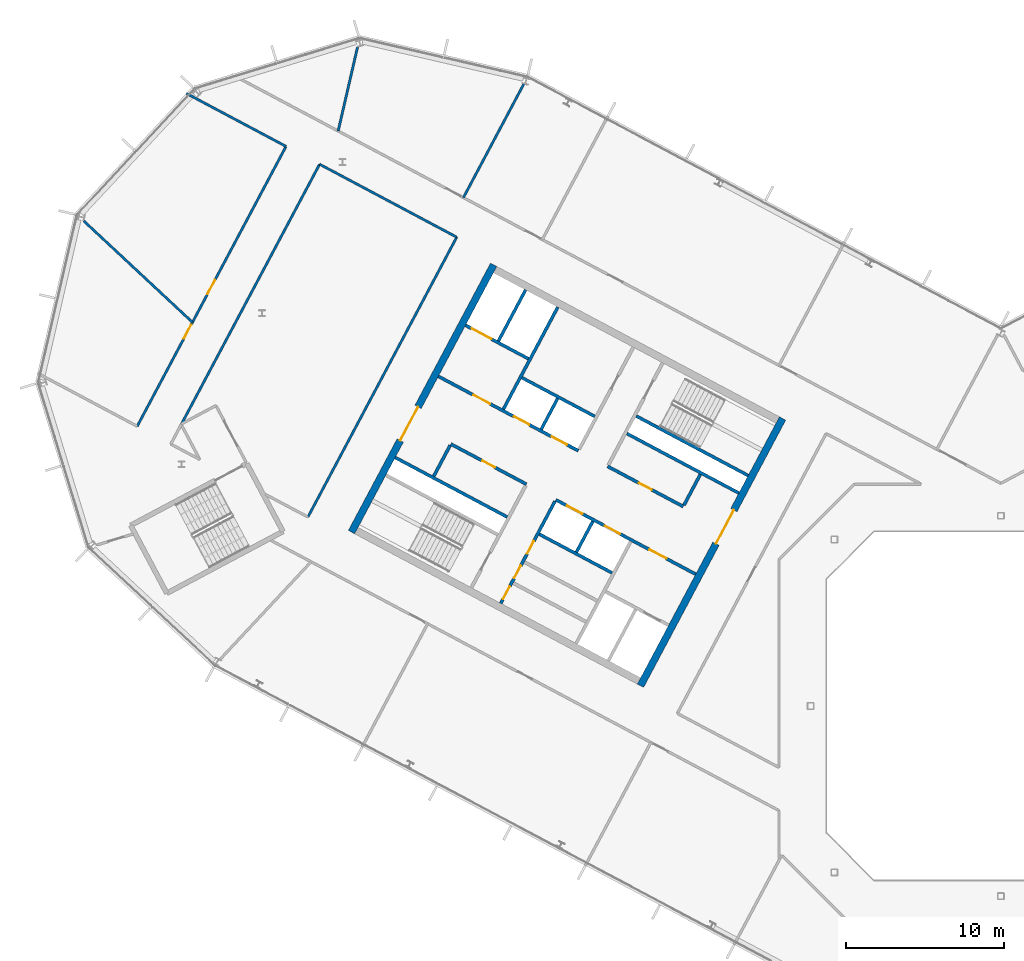
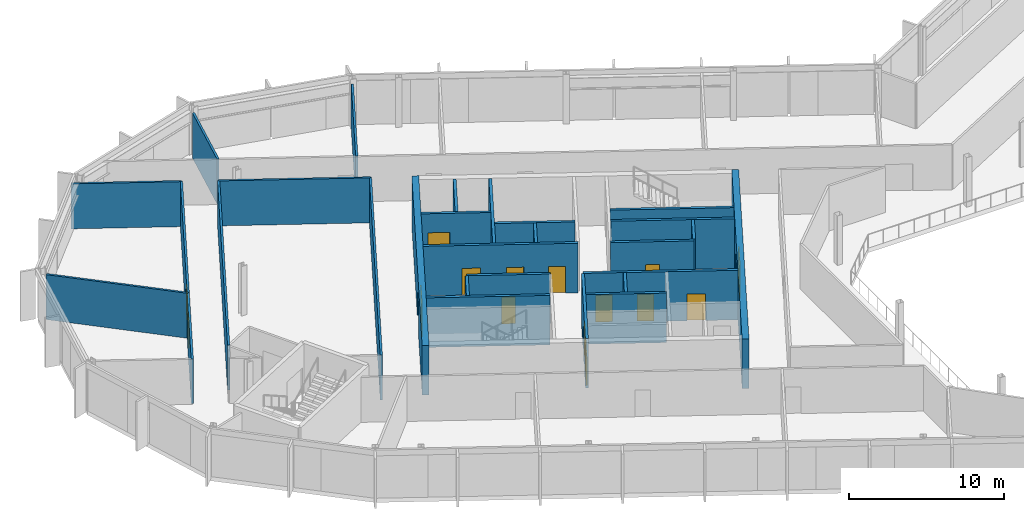
# One storey, part 13 of 25: 27 walls, 16 doors, 16 openings.
"""IFC4 building model written with IfcOpenShell, lengths in metres."""

from ifc_helpers import new_model, si_unit, direction, frame, frame_2d, origin, place, context, subcontext, project, spatial, rectangle, extrude, material, layer, layer_set, type_object, element, fill, save


model = new_model("IFC4")

# Units and contexts
model_context = context("Model", 3, precision=1e-05, world=origin(), true_north=direction((0.0, 1.0)))
body_context = subcontext(model_context, "Body", "Model", "MODEL_VIEW")
ifc_project = project(units=[si_unit("LENGTHUNIT", "METRE"), si_unit("AREAUNIT", "SQUARE_METRE"), si_unit("VOLUMEUNIT", "CUBIC_METRE"), si_unit("PLANEANGLEUNIT", "RADIAN"), si_unit("MASSUNIT", "GRAM", prefix="KILO")], contexts=[model_context])

# Site, building, storey
site_placement = place(None, origin())
site = spatial("IfcSite", under=ifc_project, at=site_placement, CompositionType="ELEMENT")
building_placement = place(site_placement, origin())
building = spatial("IfcBuilding", under=site, at=building_placement, Name="Cormorant Relay Tower", CompositionType="ELEMENT")
storey_placement = place(building_placement, frame((0.0, 0.0, 265.800048828125)))
storey = spatial("IfcBuildingStorey", under=building, at=storey_placement, Name="L59", CompositionType="ELEMENT", Elevation=265.800048828125)

# Walls
ifc_material_1 = material(Name="Concrete 40 MPa", Category="concrete")
ifc_layer_1 = layer(ifc_material_1, 0.199951171875)
ifc_layer_set_1 = layer_set([ifc_layer_1], Name="Core internal wall 200")
wall_type_1 = type_object("IfcWallType", Name="Core internal wall 200", PredefinedType="SOLIDWALL", material=ifc_layer_set_1)
wall_1_placement = place(storey_placement, frame((-25.744140625, 11.64990234375, 0.0), z_axis=(0.0, 0.0, 1.0), x_axis=(-0.469487830541, -0.882938942948, 0.0)))
element("IfcWall", 1, at=wall_1_placement, inside=storey, type_object=wall_type_1, Name="L59 core A shaft and room wall", PredefinedType="SOLIDWALL", context=body_context, shape_type="SweptSolid", body=[
    extrude(rectangle(XDim=2.2001953125, YDim=0.199951171875, at=frame_2d((1.10009765625, 0.0))), origin(), (0.0, 0.0, 1.0), 3.89990234375),
])
wall_2_placement = place(storey_placement, frame((-27.9658203125, 19.39990234375, 0.0), z_axis=(0.0, 0.0, 1.0), x_axis=(-0.4694473164, -0.882960484464, 0.0)))
element("IfcWall", 2, at=wall_2_placement, inside=storey, type_object=wall_type_1, Name="L59 core A shaft and room wall", PredefinedType="SOLIDWALL", context=body_context, shape_type="SweptSolid", body=[
    extrude(rectangle(XDim=2.199951171875, YDim=0.199951171875, at=frame_2d((1.10009765625, 0.0))), origin(), (0.0, 0.0, 1.0), 3.89990234375),
])
ifc_material_2 = material(Name="Concrete 50 MPa", Category="concrete")
ifc_layer_2 = layer(ifc_material_2, 0.199951171875)
ifc_layer_set_2 = layer_set([ifc_layer_2], Name="Core shaft wall 200")
wall_type_2 = type_object("IfcWallType", Name="Core shaft wall 200", PredefinedType="SHEAR", material=ifc_layer_set_2)
wall_3_placement = place(storey_placement, frame((-18.959716796875, 14.611328125, 0.0), z_axis=(0.0, 0.0, 1.0), x_axis=(-0.4694473164, -0.882960484464, 0.0)))
element("IfcWall", 3, at=wall_3_placement, inside=storey, type_object=wall_type_2, Name="L59 core A shaft wall", PredefinedType="SHEAR", context=body_context, shape_type="SweptSolid", body=[
    extrude(rectangle(XDim=2.199951171875, YDim=0.199951171875, at=frame_2d((1.10009765625, 0.0))), origin(), (0.0, 0.0, 1.0), 3.89990234375),
])

# Wall, openings, doors
wall_4_placement = place(storey_placement, frame((-28.128173828125, 12.91748046875, 0.0), z_axis=(0.0, 0.0, 1.0), x_axis=(-0.469454336211, -0.882956752176, 0.0)))
wall_4 = element("IfcWall", 4, at=wall_4_placement, inside=storey, type_object=wall_type_2, Name="L59 core A shaft wall", PredefinedType="SHEAR", context=body_context, shape_type="SweptSolid", body=[
    extrude(rectangle(XDim=7.300048828125, YDim=0.199951171875, at=frame_2d((3.64990234375, 0.0))), origin(), (0.0, 0.0, 1.0), 3.89990234375),
])
opening_1_placement = place(wall_4_placement, frame((2.85009765625, 0.0, 0.0)))
opening_1 = element("IfcOpeningElement", 5, at=opening_1_placement, cuts=wall_4, Name="Opening CDD-289", PredefinedType="OPENING", context=body_context, shape_type="SweptSolid", body=[
    extrude(rectangle(XDim=0.89990234375, YDim=2.10009765625, at=frame_2d((0.449951171875, 1.050048828125))), frame((0.0, 0.10986328125, 0.0), z_axis=(0.0, -1.0, 0.0), x_axis=(1.0, 0.0, 0.0)), (0.0, 0.0, 1.0), 0.219970703125),
])
opening_2_placement = place(wall_4_placement, frame((4.60009765625, 0.0, 0.0)))
opening_2 = element("IfcOpeningElement", 6, at=opening_2_placement, cuts=wall_4, Name="Opening CDD-290", PredefinedType="OPENING", context=body_context, shape_type="SweptSolid", body=[
    extrude(rectangle(XDim=0.89990234375, YDim=2.10009765625, at=frame_2d((0.449951171875, 1.050048828125))), frame((0.0, 0.10986328125, 0.0), z_axis=(0.0, -1.0, 0.0), x_axis=(1.0, 0.0, 0.0)), (0.0, 0.0, 1.0), 0.219970703125),
])
opening_3_placement = place(wall_4_placement, frame((6.10009765625, 0.0, 0.0)))
opening_3 = element("IfcOpeningElement", 7, at=opening_3_placement, cuts=wall_4, Name="Opening CDD-291", PredefinedType="OPENING", context=body_context, shape_type="SweptSolid", body=[
    extrude(rectangle(XDim=0.89990234375, YDim=2.10009765625, at=frame_2d((0.449951171875, 1.050048828125))), frame((0.0, 0.10986328125, 0.0), z_axis=(0.0, -1.0, 0.0), x_axis=(1.0, 0.0, 0.0)), (0.0, 0.0, 1.0), 0.219970703125),
])
ifc_material_3 = material(Name="Steel fire door", Category="steel")
door_type_1 = type_object("IfcDoorType", Name="Core room door 900x2100", OperationType="SINGLE_SWING_LEFT", PredefinedType="DOOR", material=ifc_material_3)
door_1_placement = place(opening_1_placement, origin())
door_1 = element("IfcDoor", 8, at=door_1_placement, inside=storey, type_object=door_type_1, Name="Core room door 900x2100", OperationType="SINGLE_SWING_LEFT", OverallHeight=2.10009765625, OverallWidth=0.89990234375, PredefinedType="DOOR", context=body_context, shape_type="SweptSolid", body=[
    extrude(rectangle(XDim=0.89990234375, YDim=2.10009765625, at=frame_2d((0.449951171875, 1.050048828125))), frame((0.0, 0.02490234375, 0.0), z_axis=(0.0, -1.0, 0.0), x_axis=(1.0, 0.0, 0.0)), (0.0, 0.0, 1.0), 0.050048828125),
])
fill(opening_1, door_1)
door_2_placement = place(opening_2_placement, origin())
door_2 = element("IfcDoor", 9, at=door_2_placement, inside=storey, type_object=door_type_1, Name="Core room door 900x2100", OperationType="SINGLE_SWING_LEFT", OverallHeight=2.10009765625, OverallWidth=0.89990234375, PredefinedType="DOOR", context=body_context, shape_type="SweptSolid", body=[
    extrude(rectangle(XDim=0.89990234375, YDim=2.10009765625, at=frame_2d((0.449951171875, 1.050048828125))), frame((0.0, 0.02490234375, 0.0), z_axis=(0.0, -1.0, 0.0), x_axis=(1.0, 0.0, 0.0)), (0.0, 0.0, 1.0), 0.050048828125),
])
fill(opening_2, door_2)
door_3_placement = place(opening_3_placement, origin())
door_3 = element("IfcDoor", 10, at=door_3_placement, inside=storey, type_object=door_type_1, Name="Core room door 900x2100", OperationType="SINGLE_SWING_LEFT", OverallHeight=2.10009765625, OverallWidth=0.89990234375, PredefinedType="DOOR", context=body_context, shape_type="SweptSolid", body=[
    extrude(rectangle(XDim=0.89990234375, YDim=2.10009765625, at=frame_2d((0.449951171875, 1.050048828125))), frame((0.0, 0.02490234375, 0.0), z_axis=(0.0, -1.0, 0.0), x_axis=(1.0, 0.0, 0.0)), (0.0, 0.0, 1.0), 0.050048828125),
])
fill(opening_3, door_3)

# Walls
wall_5_placement = place(storey_placement, frame((-27.955322265625, 25.170654296875, 0.0), z_axis=(0.0, 0.0, 1.0), x_axis=(-0.469480409012, -0.88294288918, 0.0)))
element("IfcWall", 11, at=wall_5_placement, inside=storey, type_object=wall_type_2, Name="L59 core A shaft wall", PredefinedType="SHEAR", context=body_context, shape_type="SweptSolid", body=[
    extrude(rectangle(XDim=7.300048828125, YDim=0.199951171875, at=frame_2d((3.64990234375, 0.0))), origin(), (0.0, 0.0, 1.0), 3.89990234375),
])
wall_6_placement = place(storey_placement, frame((-34.750244140625, 16.4384765625, 0.0), z_axis=(0.0, 0.0, 1.0), x_axis=(-0.469401318492, -0.882984938828, 0.0)))
element("IfcWall", 12, at=wall_6_placement, inside=storey, type_object=wall_type_2, Name="L59 core A shaft wall", PredefinedType="SHEAR", context=body_context, shape_type="SweptSolid", body=[
    extrude(rectangle(XDim=2.199951171875, YDim=0.199951171875, at=frame_2d((1.10009765625, 0.0))), origin(), (0.0, 0.0, 1.0), 3.89990234375),
])
wall_7_placement = place(storey_placement, frame((-29.986083984375, 26.250244140625, 0.0), z_axis=(0.0, 0.0, 1.0), x_axis=(-0.469494272526, -0.882935517501, 0.0)))
element("IfcWall", 13, at=wall_7_placement, inside=storey, type_object=wall_type_2, Name="L59 core A shaft wall", PredefinedType="SHEAR", context=body_context, shape_type="SweptSolid", body=[
    extrude(rectangle(XDim=3.64990234375, YDim=0.199951171875, at=frame_2d((1.824951171875, 0.0))), origin(), (0.0, 0.0, 1.0), 3.89990234375),
])
wall_8_placement = place(storey_placement, frame((-15.94189453125, 14.53564453125, 0.0), z_axis=(0.0, 0.0, 1.0), x_axis=(-0.882946947542, 0.469472776449, 0.0)))
element("IfcWall", 14, at=wall_8_placement, inside=storey, type_object=wall_type_2, Name="L59 core A shaft wall", PredefinedType="SHEAR", context=body_context, shape_type="SweptSolid", body=[
    extrude(rectangle(XDim=8.000244140625, YDim=0.199951171875, at=frame_2d((4.0, 0.0))), origin(), (0.0, 0.0, 1.0), 3.89990234375),
])

# Wall, opening, door
wall_9_placement = place(storey_placement, frame((-29.80419921875, 21.906494140625, 0.0), z_axis=(0.0, 0.0, 1.0), x_axis=(-0.882960433586, 0.469447412093, 0.0)))
wall_9 = element("IfcWall", 15, at=wall_9_placement, inside=storey, type_object=wall_type_2, Name="L59 core A shaft wall", PredefinedType="SHEAR", context=body_context, shape_type="SweptSolid", body=[
    extrude(rectangle(XDim=4.5, YDim=0.199951171875, at=frame_2d((2.25, 0.0))), origin(), (0.0, 0.0, 1.0), 3.89990234375),
])
opening_4_placement = place(wall_9_placement, frame((2.64990234375, 0.0, 0.0)))
opening_4 = element("IfcOpeningElement", 16, at=opening_4_placement, cuts=wall_9, Name="Opening LD3-015", PredefinedType="OPENING", context=body_context, shape_type="SweptSolid", body=[
    extrude(rectangle(XDim=1.39990234375, YDim=2.39990234375, at=frame_2d((0.699951171875, 1.199951171875))), frame((0.0, 0.10986328125, 0.0), z_axis=(0.0, -1.0, 0.0), x_axis=(1.0, 0.0, 0.0)), (0.0, 0.0, 1.0), 0.219970703125),
])
ifc_material_4 = material(Name="Stainless steel 316", Category="steel")
door_type_2 = type_object("IfcDoorType", Name="Lift landing door 1400x2400", OperationType="DOUBLE_DOOR_SLIDING", PredefinedType="DOOR", material=ifc_material_4)
door_4_placement = place(opening_4_placement, origin())
door_4 = element("IfcDoor", 17, at=door_4_placement, inside=storey, type_object=door_type_2, Name="SV1 landing door", OperationType="DOUBLE_DOOR_SLIDING", OverallHeight=2.39990234375, OverallWidth=1.39990234375, PredefinedType="DOOR", context=body_context, shape_type="SweptSolid", body=[
    extrude(rectangle(XDim=1.39990234375, YDim=2.39990234375, at=frame_2d((0.699951171875, 1.199951171875))), frame((0.0, 0.02490234375, 0.0), z_axis=(0.0, -1.0, 0.0), x_axis=(1.0, 0.0, 0.0)), (0.0, 0.0, 1.0), 0.050048828125),
])
fill(opening_4, door_4)

# Walls
wall_10_placement = place(storey_placement, frame((-16.52880859375, 13.43212890625, 0.0), z_axis=(0.0, 0.0, 1.0), x_axis=(-0.88295287151, 0.469461634952, 0.0)))
element("IfcWall", 18, at=wall_10_placement, inside=storey, type_object=wall_type_2, Name="L59 core A shaft wall", PredefinedType="SHEAR", context=body_context, shape_type="SweptSolid", body=[
    extrude(rectangle(XDim=7.999755859375, YDim=0.199951171875, at=frame_2d((4.0, 0.0))), origin(), (0.0, 0.0, 1.0), 3.89990234375),
])
wall_11_placement = place(storey_placement, frame((-25.623046875, 18.267578125, 0.0), z_axis=(0.0, 0.0, 1.0), x_axis=(-0.882953967957, 0.469459572775, 0.0)))
element("IfcWall", 19, at=wall_11_placement, inside=storey, type_object=wall_type_2, Name="L59 core A shaft wall", PredefinedType="SHEAR", context=body_context, shape_type="SweptSolid", body=[
    extrude(rectangle(XDim=5.199951171875, YDim=0.199951171875, at=frame_2d((2.60009765625, 0.0))), origin(), (0.0, 0.0, 1.0), 3.89990234375),
])

# Wall, opening, door
wall_12_placement = place(storey_placement, frame((-20.03955078125, 12.58056640625, 0.0), z_axis=(0.0, 0.0, 1.0), x_axis=(-0.882942972946, 0.469480251476, 0.0)))
wall_12 = element("IfcWall", 20, at=wall_12_placement, inside=storey, type_object=wall_type_2, Name="L59 core A shaft wall", PredefinedType="SHEAR", context=body_context, shape_type="SweptSolid", body=[
    extrude(rectangle(XDim=5.39990234375, YDim=0.199951171875, at=frame_2d((2.699951171875, 0.0))), origin(), (0.0, 0.0, 1.0), 3.89990234375),
])
opening_5_placement = place(wall_12_placement, frame((2.25, 0.0, 0.0)))
opening_5 = element("IfcOpeningElement", 21, at=opening_5_placement, cuts=wall_12, Name="Opening CDD-319", PredefinedType="OPENING", context=body_context, shape_type="SweptSolid", body=[
    extrude(rectangle(XDim=0.89990234375, YDim=2.10009765625, at=frame_2d((0.449951171875, 1.050048828125))), frame((0.0, 0.10986328125, 0.0), z_axis=(0.0, -1.0, 0.0), x_axis=(1.0, 0.0, 0.0)), (0.0, 0.0, 1.0), 0.219970703125),
])
door_5_placement = place(opening_5_placement, origin())
door_5 = element("IfcDoor", 22, at=door_5_placement, inside=storey, type_object=door_type_1, Name="Core room door 900x2100", OperationType="SINGLE_SWING_LEFT", OverallHeight=2.10009765625, OverallWidth=0.89990234375, PredefinedType="DOOR", context=body_context, shape_type="SweptSolid", body=[
    extrude(rectangle(XDim=0.89990234375, YDim=2.10009765625, at=frame_2d((0.449951171875, 1.050048828125))), frame((0.0, 0.02490234375, 0.0), z_axis=(0.0, -1.0, 0.0), x_axis=(1.0, 0.0, 0.0)), (0.0, 0.0, 1.0), 0.050048828125),
])
fill(opening_5, door_5)

# Wall, openings, doors
wall_13_placement = place(storey_placement, frame((-26.66162109375, 16.1015625, 0.0), z_axis=(0.0, 0.0, 1.0), x_axis=(-0.882940221191, 0.469485426614, 0.0)))
wall_13 = element("IfcWall", 23, at=wall_13_placement, inside=storey, type_object=wall_type_2, Name="L59 core A shaft wall", PredefinedType="SHEAR", context=body_context, shape_type="SweptSolid", body=[
    extrude(rectangle(XDim=10.0, YDim=0.199951171875, at=frame_2d((5.0, 0.0))), origin(), (0.0, 0.0, 1.0), 3.89990234375),
])
opening_6_placement = place(wall_13_placement, frame((6.300048828125, 0.0, 0.0)))
opening_6 = element("IfcOpeningElement", 24, at=opening_6_placement, cuts=wall_13, Name="Opening CDC-034", PredefinedType="OPENING", context=body_context, shape_type="SweptSolid", body=[
    extrude(rectangle(XDim=1.199951171875, YDim=2.10009765625, at=frame_2d((0.60009765625, 1.050048828125))), frame((0.0, 0.10986328125, 0.0), z_axis=(0.0, -1.0, 0.0), x_axis=(1.0, 0.0, 0.0)), (0.0, 0.0, 1.0), 0.219970703125),
])
opening_7_placement = place(wall_13_placement, frame((0.800048828125, 0.0, 0.0)))
opening_7 = element("IfcOpeningElement", 25, at=opening_7_placement, cuts=wall_13, Name="Opening LD1-067", PredefinedType="OPENING", context=body_context, shape_type="SweptSolid", body=[
    extrude(rectangle(XDim=1.10009765625, YDim=2.10009765625, at=frame_2d((0.550048828125, 1.050048828125))), frame((0.0, 0.10986328125, 0.0), z_axis=(0.0, -1.0, 0.0), x_axis=(1.0, 0.0, 0.0)), (0.0, 0.0, 1.0), 0.219970703125),
])
opening_8_placement = place(wall_13_placement, frame((3.5, 0.0, 0.0)))
opening_8 = element("IfcOpeningElement", 26, at=opening_8_placement, cuts=wall_13, Name="Opening LD1-068", PredefinedType="OPENING", context=body_context, shape_type="SweptSolid", body=[
    extrude(rectangle(XDim=1.10009765625, YDim=2.10009765625, at=frame_2d((0.550048828125, 1.050048828125))), frame((0.0, 0.10986328125, 0.0), z_axis=(0.0, -1.0, 0.0), x_axis=(1.0, 0.0, 0.0)), (0.0, 0.0, 1.0), 0.219970703125),
])
ifc_material_5 = material(Name="Steel fire door", Category="steel")
door_type_3 = type_object("IfcDoorType", Name="Core lobby door 1200x2100", OperationType="SINGLE_SWING_LEFT", PredefinedType="DOOR", material=ifc_material_5)
door_6_placement = place(opening_6_placement, origin())
door_6 = element("IfcDoor", 27, at=door_6_placement, inside=storey, type_object=door_type_3, Name="Core lobby door 1200x2100", OperationType="SINGLE_SWING_LEFT", OverallHeight=2.10009765625, OverallWidth=1.199951171875, PredefinedType="DOOR", context=body_context, shape_type="SweptSolid", body=[
    extrude(rectangle(XDim=1.199951171875, YDim=2.10009765625, at=frame_2d((0.60009765625, 1.050048828125))), frame((0.0, 0.02490234375, 0.0), z_axis=(0.0, -1.0, 0.0), x_axis=(1.0, 0.0, 0.0)), (0.0, 0.0, 1.0), 0.050048828125),
])
fill(opening_6, door_6)
ifc_material_6 = material(Name="Stainless steel 316", Category="steel")
door_type_4 = type_object("IfcDoorType", Name="Lift landing door 1100x2100", OperationType="DOUBLE_DOOR_SLIDING", PredefinedType="DOOR", material=ifc_material_6)
door_7_placement = place(opening_7_placement, origin())
door_7 = element("IfcDoor", 28, at=door_7_placement, inside=storey, type_object=door_type_4, Name="HR3 landing door", OperationType="DOUBLE_DOOR_SLIDING", OverallHeight=2.10009765625, OverallWidth=1.10009765625, PredefinedType="DOOR", context=body_context, shape_type="SweptSolid", body=[
    extrude(rectangle(XDim=1.10009765625, YDim=2.10009765625, at=frame_2d((0.550048828125, 1.050048828125))), frame((0.0, 0.02490234375, 0.0), z_axis=(0.0, -1.0, 0.0), x_axis=(1.0, 0.0, 0.0)), (0.0, 0.0, 1.0), 0.050048828125),
])
fill(opening_7, door_7)
door_8_placement = place(opening_8_placement, origin())
door_8 = element("IfcDoor", 29, at=door_8_placement, inside=storey, type_object=door_type_4, Name="HR4 landing door", OperationType="DOUBLE_DOOR_SLIDING", OverallHeight=2.10009765625, OverallWidth=1.10009765625, PredefinedType="DOOR", context=body_context, shape_type="SweptSolid", body=[
    extrude(rectangle(XDim=1.10009765625, YDim=2.10009765625, at=frame_2d((0.550048828125, 1.050048828125))), frame((0.0, 0.02490234375, 0.0), z_axis=(0.0, -1.0, 0.0), x_axis=(1.0, 0.0, 0.0)), (0.0, 0.0, 1.0), 0.050048828125),
])
fill(opening_8, door_8)

wall_14_placement = place(storey_placement, frame((-19.251708984375, 8.31103515625, 0.0), z_axis=(0.0, 0.0, 1.0), x_axis=(-0.882955722218, 0.469456273365, 0.0)))
wall_14 = element("IfcWall", 30, at=wall_14_placement, inside=storey, type_object=wall_type_2, Name="L59 core A shaft wall", PredefinedType="SHEAR", context=body_context, shape_type="SweptSolid", body=[
    extrude(rectangle(XDim=10.0, YDim=0.199951171875, at=frame_2d((5.0, 0.0))), origin(), (0.0, 0.0, 1.0), 3.89990234375),
])
opening_9_placement = place(wall_14_placement, frame((2.10009765625, 0.0, 0.0)))
opening_9 = element("IfcOpeningElement", 31, at=opening_9_placement, cuts=wall_14, Name="Opening CDC-033", PredefinedType="OPENING", context=body_context, shape_type="SweptSolid", body=[
    extrude(rectangle(XDim=1.199951171875, YDim=2.10009765625, at=frame_2d((0.60009765625, 1.050048828125))), frame((0.0, 0.10986328125, 0.0), z_axis=(0.0, -1.0, 0.0), x_axis=(1.0, 0.0, 0.0)), (0.0, 0.0, 1.0), 0.219970703125),
])
opening_10_placement = place(wall_14_placement, frame((5.39990234375, 0.0, 0.0)))
opening_10 = element("IfcOpeningElement", 32, at=opening_10_placement, cuts=wall_14, Name="Opening LD1-065", PredefinedType="OPENING", context=body_context, shape_type="SweptSolid", body=[
    extrude(rectangle(XDim=1.10009765625, YDim=2.10009765625, at=frame_2d((0.550048828125, 1.050048828125))), frame((0.0, 0.10986328125, 0.0), z_axis=(0.0, -1.0, 0.0), x_axis=(1.0, 0.0, 0.0)), (0.0, 0.0, 1.0), 0.219970703125),
])
opening_11_placement = place(wall_14_placement, frame((8.10009765625, 0.0, 0.0)))
opening_11 = element("IfcOpeningElement", 33, at=opening_11_placement, cuts=wall_14, Name="Opening LD1-066", PredefinedType="OPENING", context=body_context, shape_type="SweptSolid", body=[
    extrude(rectangle(XDim=1.10009765625, YDim=2.10009765625, at=frame_2d((0.550048828125, 1.050048828125))), frame((0.0, 0.10986328125, 0.0), z_axis=(0.0, -1.0, 0.0), x_axis=(1.0, 0.0, 0.0)), (0.0, 0.0, 1.0), 0.219970703125),
])
door_9_placement = place(opening_9_placement, origin())
door_9 = element("IfcDoor", 34, at=door_9_placement, inside=storey, type_object=door_type_3, Name="Core lobby door 1200x2100", OperationType="SINGLE_SWING_RIGHT", OverallHeight=2.10009765625, OverallWidth=1.199951171875, PredefinedType="DOOR", context=body_context, shape_type="SweptSolid", body=[
    extrude(rectangle(XDim=1.199951171875, YDim=2.10009765625, at=frame_2d((0.60009765625, 1.050048828125))), frame((0.0, 0.02490234375, 0.0), z_axis=(0.0, -1.0, 0.0), x_axis=(1.0, 0.0, 0.0)), (0.0, 0.0, 1.0), 0.050048828125),
])
fill(opening_9, door_9)
door_10_placement = place(opening_10_placement, origin())
door_10 = element("IfcDoor", 35, at=door_10_placement, inside=storey, type_object=door_type_4, Name="HR1 landing door", OperationType="DOUBLE_DOOR_SLIDING", OverallHeight=2.10009765625, OverallWidth=1.10009765625, PredefinedType="DOOR", context=body_context, shape_type="SweptSolid", body=[
    extrude(rectangle(XDim=1.10009765625, YDim=2.10009765625, at=frame_2d((0.550048828125, 1.050048828125))), frame((0.0, 0.02490234375, 0.0), z_axis=(0.0, -1.0, 0.0), x_axis=(1.0, 0.0, 0.0)), (0.0, 0.0, 1.0), 0.050048828125),
])
fill(opening_10, door_10)
door_11_placement = place(opening_11_placement, origin())
door_11 = element("IfcDoor", 36, at=door_11_placement, inside=storey, type_object=door_type_4, Name="HR2 landing door", OperationType="DOUBLE_DOOR_SLIDING", OverallHeight=2.10009765625, OverallWidth=1.10009765625, PredefinedType="DOOR", context=body_context, shape_type="SweptSolid", body=[
    extrude(rectangle(XDim=1.10009765625, YDim=2.10009765625, at=frame_2d((0.550048828125, 1.050048828125))), frame((0.0, 0.02490234375, 0.0), z_axis=(0.0, -1.0, 0.0), x_axis=(1.0, 0.0, 0.0)), (0.0, 0.0, 1.0), 0.050048828125),
])
fill(opening_11, door_11)

# Wall, opening, door
wall_15_placement = place(storey_placement, frame((-29.935302734375, 13.991455078125, 0.0), z_axis=(0.0, 0.0, 1.0), x_axis=(-0.882952937579, 0.469461510692, 0.0)))
wall_15 = element("IfcWall", 37, at=wall_15_placement, inside=storey, type_object=wall_type_2, Name="L59 core A shaft wall", PredefinedType="SHEAR", context=body_context, shape_type="SweptSolid", body=[
    extrude(rectangle(XDim=5.400146484375, YDim=0.199951171875, at=frame_2d((2.7001953125, 0.0))), origin(), (0.0, 0.0, 1.0), 3.89990234375),
])
opening_12_placement = place(wall_15_placement, frame((2.25, 0.0, 0.0)))
opening_12 = element("IfcOpeningElement", 38, at=opening_12_placement, cuts=wall_15, Name="Opening CDD-318", PredefinedType="OPENING", context=body_context, shape_type="SweptSolid", body=[
    extrude(rectangle(XDim=0.89990234375, YDim=2.10009765625, at=frame_2d((0.449951171875, 1.050048828125))), frame((0.0, 0.10986328125, 0.0), z_axis=(0.0, -1.0, 0.0), x_axis=(1.0, 0.0, 0.0)), (0.0, 0.0, 1.0), 0.219970703125),
])
door_12_placement = place(opening_12_placement, origin())
door_12 = element("IfcDoor", 39, at=door_12_placement, inside=storey, type_object=door_type_1, Name="Core room door 900x2100", OperationType="SINGLE_SWING_LEFT", OverallHeight=2.10009765625, OverallWidth=0.89990234375, PredefinedType="DOOR", context=body_context, shape_type="SweptSolid", body=[
    extrude(rectangle(XDim=0.89990234375, YDim=2.10009765625, at=frame_2d((0.449951171875, 1.050048828125))), frame((0.0, 0.02490234375, 0.0), z_axis=(0.0, -1.0, 0.0), x_axis=(1.0, 0.0, 0.0)), (0.0, 0.0, 1.0), 0.050048828125),
])
fill(opening_12, door_12)

# Walls
wall_16_placement = place(storey_placement, frame((-24.5283203125, 8.3984375, 0.0), z_axis=(0.0, 0.0, 1.0), x_axis=(-0.882953967957, 0.469459572775, 0.0)))
element("IfcWall", 40, at=wall_16_placement, inside=storey, type_object=wall_type_2, Name="L59 core A shaft wall", PredefinedType="SHEAR", context=body_context, shape_type="SweptSolid", body=[
    extrude(rectangle(XDim=5.199951171875, YDim=0.199951171875, at=frame_2d((2.60009765625, 0.0))), origin(), (0.0, 0.0, 1.0), 3.89990234375),
])
wall_17_placement = place(storey_placement, frame((-31.150390625, 11.91943359375, 0.0), z_axis=(0.0, 0.0, 1.0), x_axis=(-0.882940221191, 0.469485426614, 0.0)))
element("IfcWall", 41, at=wall_17_placement, inside=storey, type_object=wall_type_2, Name="L59 core A shaft wall", PredefinedType="SHEAR", context=body_context, shape_type="SweptSolid", body=[
    extrude(rectangle(XDim=8.0, YDim=0.199951171875, at=frame_2d((4.0, 0.0))), origin(), (0.0, 0.0, 1.0), 3.89990234375),
])

# Wall, opening, door
ifc_material_7 = material(Name="Concrete 50 MPa", Category="concrete")
ifc_layer_3 = layer(ifc_material_7, 0.449951171875)
ifc_layer_set_3 = layer_set([ifc_layer_3], Name="Core wall 450")
wall_type_3 = type_object("IfcWallType", Name="Core wall 450", PredefinedType="SHEAR", material=ifc_layer_set_3)
wall_18_placement = place(storey_placement, frame((-13.771484375, 18.138427734375, 0.0), z_axis=(0.0, 0.0, 1.0), x_axis=(-0.469467968382, -0.882949504028, 0.0)))
wall_18 = element("IfcWall", 42, at=wall_18_placement, inside=storey, type_object=wall_type_3, Name="L59 core A wall", PredefinedType="SHEAR", context=body_context, shape_type="SweptSolid", body=[
    extrude(rectangle(XDim=19.099853515625, YDim=0.449951171875, at=frame_2d((9.5498046875, 0.0))), origin(), (0.0, 0.0, 1.0), 3.89990234375),
])
opening_13_placement = place(wall_18_placement, frame((6.550048828125, 0.0, 0.0)))
opening_13 = element("IfcOpeningElement", 43, at=opening_13_placement, cuts=wall_18, Name="Opening CDA-054", PredefinedType="OPENING", context=body_context, shape_type="SweptSolid", body=[
    extrude(rectangle(XDim=2.39990234375, YDim=2.39990234375, at=frame_2d((1.199951171875, 1.199951171875))), frame((0.0, 0.23486328125, 0.0), z_axis=(0.0, -1.0, 0.0), x_axis=(1.0, 0.0, 0.0)), (0.0, 0.0, 1.0), 0.469970703125),
])
ifc_material_8 = material(Name="Steel fire door", Category="steel")
door_type_5 = type_object("IfcDoorType", Name="Core lobby door 2400x2400", OperationType="DOUBLE_DOOR_SINGLE_SWING", PredefinedType="DOOR", material=ifc_material_8)
door_13_placement = place(opening_13_placement, frame((2.39990234375, 0.0, 0.0), z_axis=(0.0, 0.0, 1.0), x_axis=(-1.0, 0.0, 0.0)))
door_13 = element("IfcDoor", 44, at=door_13_placement, inside=storey, type_object=door_type_5, Name="Core lobby door 2400x2400", OperationType="DOUBLE_DOOR_SINGLE_SWING", OverallHeight=2.39990234375, OverallWidth=2.39990234375, PredefinedType="DOOR", context=body_context, shape_type="SweptSolid", body=[
    extrude(rectangle(XDim=2.39990234375, YDim=2.39990234375, at=frame_2d((1.199951171875, 1.199951171875))), frame((0.0, 0.02490234375, 0.0), z_axis=(0.0, -1.0, 0.0), x_axis=(1.0, 0.0, 0.0)), (0.0, 0.0, 1.0), 0.050048828125),
])
fill(opening_13, door_13)

wall_19_placement = place(storey_placement, frame((-32.00439453125, 27.8330078125, 0.0), z_axis=(0.0, 0.0, 1.0), x_axis=(-0.469467968382, -0.882949504028, 0.0)))
wall_19 = element("IfcWall", 45, at=wall_19_placement, inside=storey, type_object=wall_type_3, Name="L59 core A wall", PredefinedType="SHEAR", context=body_context, shape_type="SweptSolid", body=[
    extrude(rectangle(XDim=19.099853515625, YDim=0.449951171875, at=frame_2d((9.5498046875, 0.0))), origin(), (0.0, 0.0, 1.0), 3.89990234375),
])
opening_14_placement = place(wall_19_placement, frame((10.14990234375, 0.0, 0.0)))
opening_14 = element("IfcOpeningElement", 46, at=opening_14_placement, cuts=wall_19, Name="Opening CDA-051", PredefinedType="OPENING", context=body_context, shape_type="SweptSolid", body=[
    extrude(rectangle(XDim=2.39990234375, YDim=2.39990234375, at=frame_2d((1.199951171875, 1.199951171875))), frame((0.0, 0.23486328125, 0.0), z_axis=(0.0, -1.0, 0.0), x_axis=(1.0, 0.0, 0.0)), (0.0, 0.0, 1.0), 0.469970703125),
])
door_14_placement = place(opening_14_placement, origin())
door_14 = element("IfcDoor", 47, at=door_14_placement, inside=storey, type_object=door_type_5, Name="Core lobby door 2400x2400", OperationType="DOUBLE_DOOR_SINGLE_SWING", OverallHeight=2.39990234375, OverallWidth=2.39990234375, PredefinedType="DOOR", context=body_context, shape_type="SweptSolid", body=[
    extrude(rectangle(XDim=2.39990234375, YDim=2.39990234375, at=frame_2d((1.199951171875, 1.199951171875))), frame((0.0, 0.02490234375, 0.0), z_axis=(0.0, -1.0, 0.0), x_axis=(1.0, 0.0, 0.0)), (0.0, 0.0, 1.0), 0.050048828125),
])
fill(opening_14, door_14)

# Wall, openings, doors
ifc_material_9 = material(Name="Gypsum board fire partition")
ifc_layer_4 = layer(ifc_material_9, 0.14990234375)
ifc_layer_set_4 = layer_set([ifc_layer_4], Name="Corridor partition 150 EI 60")
wall_type_4 = type_object("IfcWallType", Name="Corridor partition 150 EI 60", PredefinedType="PARTITIONING", material=ifc_layer_set_4)
wall_20_placement = place(storey_placement, frame((-54.492919921875, 17.64892578125, 0.0), z_axis=(0.0, 0.0, 1.0), x_axis=(0.469446756585, 0.882960782103, 0.0)))
wall_20 = element("IfcWall", 48, at=wall_20_placement, inside=storey, type_object=wall_type_4, Name="wall/L59/part/001", PredefinedType="PARTITIONING", context=body_context, shape_type="SweptSolid", body=[
    extrude(rectangle(XDim=20.0, YDim=0.14990234375, at=frame_2d((10.0, 0.0))), origin(), (0.0, 0.0, 1.0), 3.5400390625),
])
opening_15_placement = place(wall_20_placement, frame((9.449951171875, 0.0, 0.0)))
opening_15 = element("IfcOpeningElement", 49, at=opening_15_placement, cuts=wall_20, Name="Opening DS-200", PredefinedType="OPENING", context=body_context, shape_type="SweptSolid", body=[
    extrude(rectangle(XDim=1.0, YDim=2.10009765625, at=frame_2d((0.5, 1.050048828125))), frame((0.0, 0.0849609375, 0.0), z_axis=(0.0, -1.0, 0.0), x_axis=(1.0, 0.0, 0.0)), (0.0, 0.0, 1.0), 0.169921875),
])
opening_16_placement = place(wall_20_placement, frame((6.25, 0.0, 0.0)))
opening_16 = element("IfcOpeningElement", 50, at=opening_16_placement, cuts=wall_20, Name="Opening DS-201", PredefinedType="OPENING", context=body_context, shape_type="SweptSolid", body=[
    extrude(rectangle(XDim=1.0, YDim=2.10009765625, at=frame_2d((0.5, 1.050048828125))), frame((0.0, 0.0849609375, 0.0), z_axis=(0.0, -1.0, 0.0), x_axis=(1.0, 0.0, 0.0)), (0.0, 0.0, 1.0), 0.169921875),
])
ifc_material_10 = material(Name="Timber door leaf", Category="wood")
door_type_6 = type_object("IfcDoorType", Name="Suite door 1000x2100", OperationType="SINGLE_SWING_LEFT", PredefinedType="DOOR", material=ifc_material_10)
door_15_placement = place(opening_15_placement, origin())
door_15 = element("IfcDoor", 51, at=door_15_placement, inside=storey, type_object=door_type_6, Name="door/L59/001", OperationType="SINGLE_SWING_RIGHT", OverallHeight=2.10009765625, OverallWidth=1.0, PredefinedType="DOOR", context=body_context, shape_type="SweptSolid", body=[
    extrude(rectangle(XDim=1.0, YDim=2.10009765625, at=frame_2d((0.5, 1.050048828125))), frame((0.0, 0.02490234375, 0.0), z_axis=(0.0, -1.0, 0.0), x_axis=(1.0, 0.0, 0.0)), (0.0, 0.0, 1.0), 0.050048828125),
])
fill(opening_15, door_15)
door_16_placement = place(opening_16_placement, origin())
door_16 = element("IfcDoor", 52, at=door_16_placement, inside=storey, type_object=door_type_6, Name="door/L59/002", OperationType="SINGLE_SWING_RIGHT", OverallHeight=2.10009765625, OverallWidth=1.0, PredefinedType="DOOR", context=body_context, shape_type="SweptSolid", body=[
    extrude(rectangle(XDim=1.0, YDim=2.10009765625, at=frame_2d((0.5, 1.050048828125))), frame((0.0, 0.02490234375, 0.0), z_axis=(0.0, -1.0, 0.0), x_axis=(1.0, 0.0, 0.0)), (0.0, 0.0, 1.0), 0.050048828125),
])
fill(opening_16, door_16)

# Walls
wall_21_placement = place(storey_placement, frame((-45.10400390625, 35.30810546875, 0.0), z_axis=(0.0, 0.0, 1.0), x_axis=(-0.883009246848, 0.469355590125, 0.0)))
element("IfcWall", 53, at=wall_21_placement, inside=storey, type_object=wall_type_4, Name="wall/L59/part/002", PredefinedType="PARTITIONING", context=body_context, shape_type="SweptSolid", body=[
    extrude(rectangle(XDim=7.126708984375, YDim=0.14990234375, at=frame_2d((3.5634765625, 0.0))), origin(), (0.0, 0.0, 1.0), 3.5400390625),
])
wall_22_placement = place(storey_placement, frame((-51.695068359375, 17.798095703125, 0.0), z_axis=(0.0, 0.0, 1.0), x_axis=(0.469483567396, 0.88294120979, 0.0)))
element("IfcWall", 54, at=wall_22_placement, inside=storey, type_object=wall_type_4, Name="wall/L59/part/012", PredefinedType="PARTITIONING", context=body_context, shape_type="SweptSolid", body=[
    extrude(rectangle(XDim=18.554931640625, YDim=0.14990234375, at=frame_2d((9.27734375, 0.0))), origin(), (0.0, 0.0, 1.0), 3.5400390625),
])
wall_23_placement = place(storey_placement, frame((-42.98388671875, 34.180908203125, 0.0), z_axis=(0.0, 0.0, 1.0), x_axis=(0.882924032888, -0.469515869964, 0.0)))
element("IfcWall", 55, at=wall_23_placement, inside=storey, type_object=wall_type_4, Name="wall/L59/part/013", PredefinedType="PARTITIONING", context=body_context, shape_type="SweptSolid", body=[
    extrude(rectangle(XDim=9.799072265625, YDim=0.14990234375, at=frame_2d((4.8994140625, 0.0))), origin(), (0.0, 0.0, 1.0), 3.5400390625),
])
wall_24_placement = place(storey_placement, frame((-34.33203125, 29.580078125, 0.0), z_axis=(0.0, 0.0, 1.0), x_axis=(-0.469446756585, -0.882960782103, 0.0)))
element("IfcWall", 56, at=wall_24_placement, inside=storey, type_object=wall_type_4, Name="wall/L59/part/014", PredefinedType="PARTITIONING", context=body_context, shape_type="SweptSolid", body=[
    extrude(rectangle(XDim=20.0, YDim=0.14990234375, at=frame_2d((10.0, 0.0))), origin(), (0.0, 0.0, 1.0), 3.5400390625),
])
ifc_material_11 = material(Name="Gypsum board partition")
ifc_layer_5 = layer(ifc_material_11, 0.14990234375)
ifc_layer_set_5 = layer_set([ifc_layer_5], Name="Tenant partition 150")
wall_type_5 = type_object("IfcWallType", Name="Tenant partition 150", PredefinedType="PARTITIONING", material=ifc_layer_set_5)
wall_25_placement = place(storey_placement, frame((-57.8720703125, 30.60791015625, 0.0), z_axis=(0.0, 0.0, 1.0), x_axis=(0.731446083693, -0.681899278963, 0.0)))
element("IfcWall", 57, at=wall_25_placement, inside=storey, type_object=wall_type_5, Name="wall/L59/part/003", PredefinedType="PARTITIONING", context=body_context, shape_type="SweptSolid", body=[
    extrude(rectangle(XDim=9.38671875, YDim=0.14990234375, at=frame_2d((4.693359375, 0.0))), origin(), (0.0, 0.0, 1.0), 3.5400390625),
])
wall_26_placement = place(storey_placement, frame((-30.097900390625, 39.2470703125, 0.0), z_axis=(0.0, 0.0, 1.0), x_axis=(-0.469424042577, -0.882972858162, 0.0)))
element("IfcWall", 58, at=wall_26_placement, inside=storey, type_object=wall_type_5, Name="wall/L59/part/017", PredefinedType="PARTITIONING", context=body_context, shape_type="SweptSolid", body=[
    extrude(rectangle(XDim=8.122802734375, YDim=0.14990234375, at=frame_2d((4.0615234375, 0.0))), origin(), (0.0, 0.0, 1.0), 3.5400390625),
])
wall_27_placement = place(storey_placement, frame((-41.81298828125, 36.27587890625, 0.0), z_axis=(0.0, 0.0, 1.0), x_axis=(0.224866064011, 0.974389682445, 0.0)))
element("IfcWall", 59, at=wall_27_placement, inside=storey, type_object=wall_type_5, Name="wall/L59/part/018", PredefinedType="PARTITIONING", context=body_context, shape_type="SweptSolid", body=[
    extrude(rectangle(XDim=5.438232421875, YDim=0.14990234375, at=frame_2d((2.71923828125, 0.0))), origin(), (0.0, 0.0, 1.0), 3.5400390625),
])

save(model, "model.ifc")
